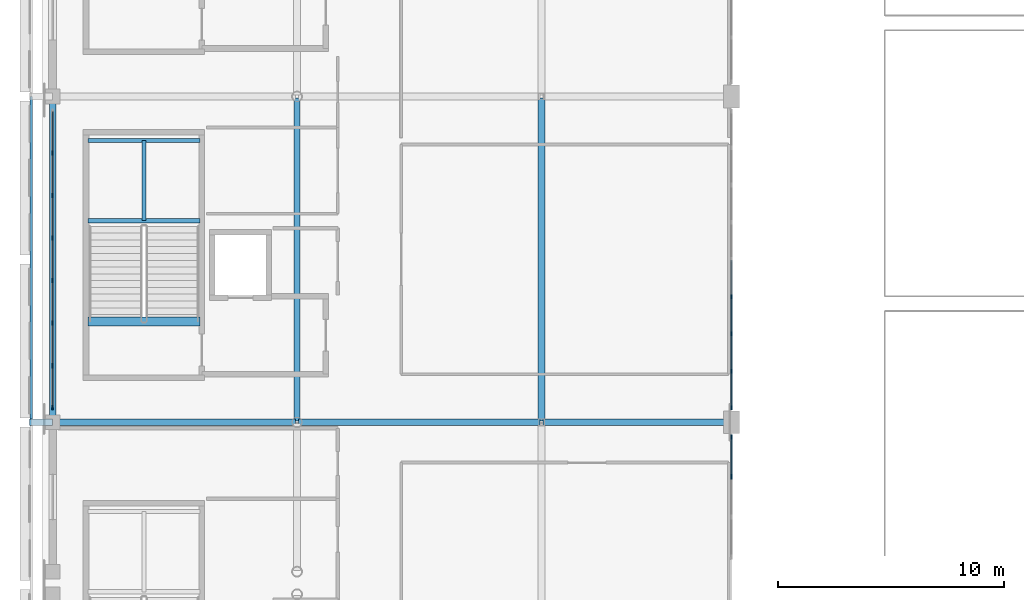
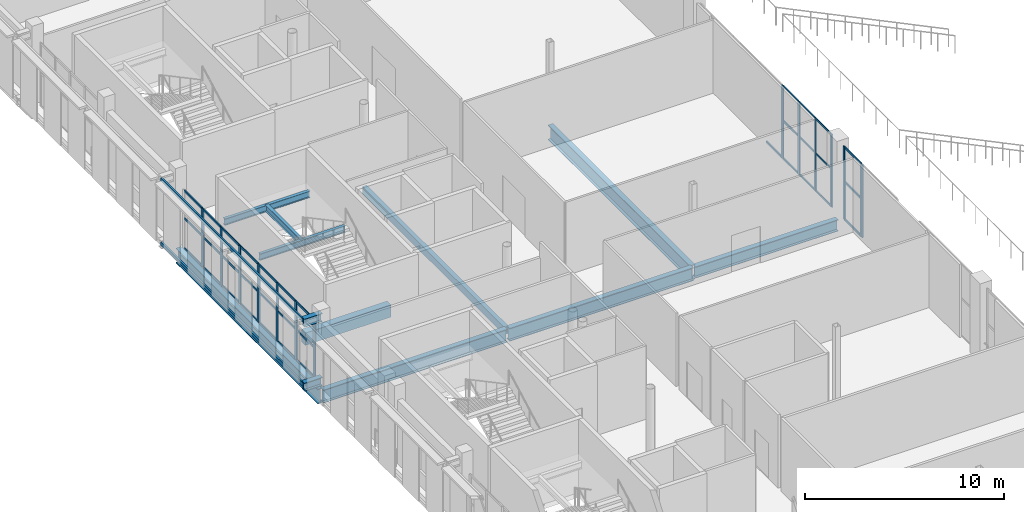
# One storey, part 25 of 104: 49 members, 12 beams, 3 elements without a shape of their own.
"""IFC4 building model written with IfcOpenShell, lengths in metres."""

from ifc_helpers import new_model, si_unit, direction, frame, origin, origin_2d, place, context, subcontext, project, spatial, rectangle, hollow_rectangle, i_section, extrude, material, material_profile, profile_set, type_object, element, aggregate, save


model = new_model("IFC4")

# Units and contexts
model_context = context("Model", 3, precision=1e-05, world=origin(), true_north=direction((0.0, 1.0)))
body_context = subcontext(model_context, "Body", "Model", "MODEL_VIEW")
ifc_project = project(units=[si_unit("LENGTHUNIT", "METRE"), si_unit("AREAUNIT", "SQUARE_METRE"), si_unit("VOLUMEUNIT", "CUBIC_METRE"), si_unit("PLANEANGLEUNIT", "RADIAN"), si_unit("MASSUNIT", "GRAM", prefix="KILO")], contexts=[model_context])

# Site, building, storey
site_placement = place(None, origin())
site = spatial("IfcSite", under=ifc_project, at=site_placement, CompositionType="ELEMENT")
building_placement = place(site_placement, origin())
building = spatial("IfcBuilding", under=site, at=building_placement, Name="Koshinbarg Plaza Stadium", CompositionType="ELEMENT")
storey_placement = place(building_placement, frame((0.0, 0.0, 19.800048828125)))
storey = spatial("IfcBuildingStorey", under=building, at=storey_placement, Name="L04", CompositionType="ELEMENT", Elevation=19.800048828125)

# Beams
ifc_material_1 = material(Name="Steel S355", Category="steel")
ifc_material_profile_1 = material_profile(ifc_material_1, i_section(OverallWidth=0.300048828125, OverallDepth=0.5, WebThickness=0.014404296875, FlangeThickness=0.028076171875, at=origin_2d()), Name="HEB 500")
ifc_profile_set_1 = profile_set([ifc_material_profile_1], Name="Steel S355")
beam_type_1 = type_object("IfcBeamType", Name="BM-CANOPY-CANT", PredefinedType="BEAM", material=ifc_profile_set_1)
for number, where, z_axis, x_axis, name in (
    (1, (24.60009765625, 83.10009765625, 0.25), (-1.0, 0.0, 0.0), (0.0, -1.0, 0.0), "Outer screen cantilever outrigger W-L04-Y05"),
    (2, (24.60009765625, 83.10009765625, 4.179931640625), (-1.0, 0.0, 0.0), (0.0, -1.0, 0.0), "Outer screen cantilever outrigger W-L04-Y05"),
):
    element("IfcBeam", number, at=place(storey_placement, frame(where, z_axis=z_axis, x_axis=x_axis)), inside=storey, type_object=beam_type_1, Name=name, PredefinedType="BEAM", context=body_context, shape_type="SweptSolid", body=[
        extrude(i_section(OverallWidth=0.300048828125, OverallDepth=0.5, WebThickness=0.014404296875, FlangeThickness=0.028076171875, at=origin_2d()), origin(), (0.0, 0.0, 1.0), 1.030029296875),
    ])
ifc_material_2 = material(Name="Concrete C40/50", Category="concrete")
ifc_material_profile_2 = material_profile(ifc_material_2, rectangle(XDim=0.39990234375, YDim=0.75, at=origin_2d()), Name="RC 400x750")
ifc_profile_set_2 = profile_set([ifc_material_profile_2], Name="Concrete C40/50")
beam_type_2 = type_object("IfcBeamType", Name="BM-RCG-03", PredefinedType="USERDEFINED", material=ifc_profile_set_2)
beam_1_placement = place(storey_placement, frame((26.14990234375, 87.56005859375, -0.375), z_axis=(1.0, 0.0, 0.0), x_axis=(0.0, 1.0, 0.0)))
element("IfcBeam", 3, at=beam_1_placement, inside=storey, type_object=beam_type_2, Name="L04 stair landing header beam C05", ObjectType="GIRDER", PredefinedType="USERDEFINED", context=body_context, shape_type="SweptSolid", body=[
    extrude(rectangle(XDim=0.39990234375, YDim=0.75, at=origin_2d()), origin(), (0.0, 0.0, 1.0), 4.97021484375),
])
ifc_material_profile_3 = material_profile(ifc_material_1, i_section(OverallWidth=0.179931640625, OverallDepth=0.39990234375, WebThickness=0.008544921875, FlangeThickness=0.013427734375, at=origin_2d()), Name="IPE 400")
ifc_profile_set_3 = profile_set([ifc_material_profile_3], Name="Steel S355")
beam_type_3 = type_object("IfcBeamType", Name="BM-SBM-01", PredefinedType="BEAM", material=ifc_profile_set_3)
for number, where, z_axis, x_axis, name in (
    (4, (26.14990234375, 92.010009765625, 1.8798828125), (1.0, 0.0, 0.0), (0.0, 1.0, 0.0), "L04 Protected Exit Stair C05 landing trimmer beam 1"),
    (5, (26.14990234375, 95.550048828125, 1.8798828125), (1.0, 0.0, 0.0), (0.0, 1.0, 0.0), "L04 Protected Exit Stair C05 landing trimmer beam 2"),
):
    element("IfcBeam", number, at=place(storey_placement, frame(where, z_axis=z_axis, x_axis=x_axis)), inside=storey, type_object=beam_type_3, Name=name, PredefinedType="BEAM", context=body_context, shape_type="SweptSolid", body=[
        extrude(i_section(OverallWidth=0.179931640625, OverallDepth=0.39990234375, WebThickness=0.008544921875, FlangeThickness=0.013427734375, at=origin_2d()), origin(), (0.0, 0.0, 1.0), 4.97021484375),
    ])
beam_2_placement = place(storey_placement, frame((28.635009765625, 92.010009765625, 1.8798828125), z_axis=(0.0, 1.0, 0.0), x_axis=(-1.0, 0.0, 0.0)))
element("IfcBeam", 6, at=beam_2_placement, inside=storey, type_object=beam_type_3, Name="L04 Protected Exit Stair C05 landing trimmer beam 3", PredefinedType="BEAM", context=body_context, shape_type="SweptSolid", body=[
    extrude(i_section(OverallWidth=0.179931640625, OverallDepth=0.39990234375, WebThickness=0.008544921875, FlangeThickness=0.013427734375, at=origin_2d()), origin(), (0.0, 0.0, 1.0), 3.5400390625),
])
ifc_material_profile_4 = material_profile(ifc_material_1, i_section(OverallWidth=0.300048828125, OverallDepth=0.699951171875, WebThickness=0.01708984375, FlangeThickness=0.031982421875, at=origin_2d()), Name="HEB 700")
ifc_profile_set_4 = profile_set([ifc_material_profile_4], Name="Steel S355")
beam_type_4 = type_object("IfcBeamType", Name="BM-SGIR-03", PredefinedType="USERDEFINED", material=ifc_profile_set_4)
beam_3_placement = place(storey_placement, frame((46.260009765625, 83.10009765625, -0.650146484375), z_axis=(1.0, 0.0, 0.0), x_axis=(0.0, 1.0, 0.0)))
element("IfcBeam", 7, at=beam_3_placement, inside=storey, type_object=beam_type_4, Name="L04 X girder M/7-8", ObjectType="GIRDER", PredefinedType="USERDEFINED", context=body_context, shape_type="SweptSolid", body=[
    extrude(i_section(OverallWidth=0.300048828125, OverallDepth=0.699951171875, WebThickness=0.01708984375, FlangeThickness=0.031982421875, at=origin_2d()), origin(), (0.0, 0.0, 1.0), 8.280029296875),
])
ifc_material_profile_5 = material_profile(ifc_material_1, i_section(OverallWidth=0.300048828125, OverallDepth=0.800048828125, WebThickness=0.017578125, FlangeThickness=0.032958984375, at=origin_2d()), Name="HEB 800")
ifc_profile_set_5 = profile_set([ifc_material_profile_5], Name="Steel S355")
beam_type_5 = type_object("IfcBeamType", Name="BM-SGIR-04", PredefinedType="USERDEFINED", material=ifc_profile_set_5)
beam_4_placement = place(storey_placement, frame((24.659912109375, 83.10009765625, -0.699951171875), z_axis=(1.0, 0.0, 0.0), x_axis=(0.0, 1.0, 0.0)))
element("IfcBeam", 8, at=beam_4_placement, inside=storey, type_object=beam_type_5, Name="L04 X girder M/5-6", ObjectType="GIRDER", PredefinedType="USERDEFINED", context=body_context, shape_type="SweptSolid", body=[
    extrude(i_section(OverallWidth=0.300048828125, OverallDepth=0.800048828125, WebThickness=0.017578125, FlangeThickness=0.032958984375, at=origin_2d()), origin(), (0.0, 0.0, 1.0), 10.68017578125),
])
beam_5_placement = place(storey_placement, frame((35.4599609375, 83.10009765625, -0.699951171875), z_axis=(1.0, 0.0, 0.0), x_axis=(0.0, 1.0, 0.0)))
element("IfcBeam", 9, at=beam_5_placement, inside=storey, type_object=beam_type_5, Name="L04 X girder M/6-7", ObjectType="GIRDER", PredefinedType="USERDEFINED", context=body_context, shape_type="SweptSolid", body=[
    extrude(i_section(OverallWidth=0.300048828125, OverallDepth=0.800048828125, WebThickness=0.017578125, FlangeThickness=0.032958984375, at=origin_2d()), origin(), (0.0, 0.0, 1.0), 10.679931640625),
])
ifc_material_profile_6 = material_profile(ifc_material_1, i_section(OverallWidth=0.300048828125, OverallDepth=0.89990234375, WebThickness=0.0185546875, FlangeThickness=0.034912109375, at=origin_2d()), Name="HEB 900")
ifc_profile_set_6 = profile_set([ifc_material_profile_6], Name="Steel S355")
beam_type_6 = type_object("IfcBeamType", Name="BM-SGIR-05", PredefinedType="USERDEFINED", material=ifc_profile_set_6)
for number, where, z_axis, x_axis, name in (
    (10, (24.60009765625, 83.159912109375, -0.75), (0.0, 1.0, 0.0), (-1.0, 0.0, 0.0), "L04 Y girder 5/M-N"),
    (11, (46.199951171875, 83.159912109375, -0.75), (0.0, 1.0, 0.0), (-1.0, 0.0, 0.0), "L04 Y girder 7/M-N"),
):
    element("IfcBeam", number, at=place(storey_placement, frame(where, z_axis=z_axis, x_axis=x_axis)), inside=storey, type_object=beam_type_6, Name=name, ObjectType="GIRDER", PredefinedType="USERDEFINED", context=body_context, shape_type="SweptSolid", body=[
        extrude(i_section(OverallWidth=0.300048828125, OverallDepth=0.89990234375, WebThickness=0.0185546875, FlangeThickness=0.034912109375, at=origin_2d()), origin(), (0.0, 0.0, 1.0), 14.280029296875),
    ])
ifc_material_profile_7 = material_profile(ifc_material_1, hollow_rectangle(XDim=0.25, YDim=0.449951171875, WallThickness=0.01611328125, at=origin_2d()), Name="RHS 450x250x16")
ifc_profile_set_7 = profile_set([ifc_material_profile_7], Name="Steel S355")
beam_type_7 = type_object("IfcBeamType", Name="BM-SGIR-06", PredefinedType="USERDEFINED", material=ifc_profile_set_7)
beam_6_placement = place(storey_placement, frame((35.39990234375, 83.159912109375, -0.525146484375), z_axis=(0.0, 1.0, 0.0), x_axis=(-1.0, 0.0, 0.0)))
element("IfcBeam", 12, at=beam_6_placement, inside=storey, type_object=beam_type_7, Name="L04 Y girder 6/M-N", ObjectType="GIRDER", PredefinedType="USERDEFINED", context=body_context, shape_type="SweptSolid", body=[
    extrude(hollow_rectangle(XDim=0.25, YDim=0.449951171875, WallThickness=0.01611328125, at=origin_2d()), origin(), (0.0, 0.0, 1.0), 14.280029296875),
])

# Curtain wall, members
ifc_material_3 = material(Name="Thermally broken anodised aluminium and low-E double glazing", Category="aluminium")
curtain_wall_type_1 = type_object("IfcCurtainWallType", Name="CW-SYS-03", PredefinedType="NOTDEFINED", material=ifc_material_3)
curtain_wall_1_placement = place(storey_placement, origin())
curtain_wall_1 = element("IfcCurtainWall", 13, at=curtain_wall_1_placement, inside=storey, type_object=curtain_wall_type_1, Name="L04 unitised curtain wall CW-L04-114", PredefinedType="NOTDEFINED")
ifc_material_4 = material(Name="Anodised aluminium mullion", Category="aluminium")
ifc_material_profile_8 = material_profile(ifc_material_4, rectangle(XDim=0.070068359375, YDim=0.179931640625, at=origin_2d()), Name="ALU 70x180")
ifc_profile_set_8 = profile_set([ifc_material_profile_8], Name="Anodised aluminium mullion")
member_type_1 = type_object("IfcMemberType", Name="CW-MUL-03", PredefinedType="MULLION", material=ifc_profile_set_8)
member_1_placement = place(storey_placement, frame((54.60009765625, 88.655029296875, 0.0), z_axis=(0.0, 0.0, 1.0), x_axis=(1.0, 0.0, 0.0)))
member_1 = element("IfcMember", 14, at=member_1_placement, type_object=member_type_1, Name="CW03 mullion 6", PredefinedType="MULLION", context=body_context, shape_type="SweptSolid", body=[
    extrude(rectangle(XDim=0.070068359375, YDim=0.179931640625, at=origin_2d()), origin(), (0.0, 0.0, 1.0), 4.47998046875),
])
member_2_placement = place(storey_placement, frame((54.60009765625, 87.010009765625, 0.0), z_axis=(0.0, 0.0, 1.0), x_axis=(1.0, 0.0, 0.0)))
member_2 = element("IfcMember", 15, at=member_2_placement, type_object=member_type_1, Name="CW03 mullion 7", PredefinedType="MULLION", context=body_context, shape_type="SweptSolid", body=[
    extrude(rectangle(XDim=0.070068359375, YDim=0.179931640625, at=origin_2d()), origin(), (0.0, 0.0, 1.0), 4.47998046875),
])
member_3_placement = place(storey_placement, frame((54.60009765625, 85.364990234375, 0.0), z_axis=(0.0, 0.0, 1.0), x_axis=(1.0, 0.0, 0.0)))
member_3 = element("IfcMember", 16, at=member_3_placement, type_object=member_type_1, Name="CW03 mullion 8", PredefinedType="MULLION", context=body_context, shape_type="SweptSolid", body=[
    extrude(rectangle(XDim=0.070068359375, YDim=0.179931640625, at=origin_2d()), origin(), (0.0, 0.0, 1.0), 4.47998046875),
])
member_4_placement = place(storey_placement, frame((54.60009765625, 83.75, 0.0), z_axis=(0.0, 0.0, 1.0), x_axis=(1.0, 0.0, 0.0)))
member_4 = element("IfcMember", 17, at=member_4_placement, type_object=member_type_1, Name="CW03 mullion 9", PredefinedType="MULLION", context=body_context, shape_type="SweptSolid", body=[
    extrude(rectangle(XDim=0.070068359375, YDim=0.179931640625, at=origin_2d()), origin(), (0.0, 0.0, 1.0), 4.47998046875),
])

curtain_wall_type_2 = type_object("IfcCurtainWallType", Name="CW-SYS-16", PredefinedType="NOTDEFINED", material=ifc_material_3)
curtain_wall_2_placement = place(storey_placement, origin())
curtain_wall_2 = element("IfcCurtainWall", 18, at=curtain_wall_2_placement, inside=storey, type_object=curtain_wall_type_2, Name="L04 unitised curtain wall CW-L04-095", PredefinedType="NOTDEFINED")
ifc_material_profile_9 = material_profile(ifc_material_4, rectangle(XDim=0.070068359375, YDim=0.199951171875, at=origin_2d()), Name="ALU 70x200")
ifc_profile_set_9 = profile_set([ifc_material_profile_9], Name="Anodised aluminium mullion")
member_type_2 = type_object("IfcMemberType", Name="CW-MUL-04", PredefinedType="MULLION", material=ifc_profile_set_9)
member_5_placement = place(storey_placement, frame((24.60009765625, 83.75, 0.0), z_axis=(0.0, 0.0, 1.0), x_axis=(-1.0, 0.0, 0.0)))
member_5 = element("IfcMember", 19, at=member_5_placement, type_object=member_type_2, Name="CW16 mullion 1", PredefinedType="MULLION", context=body_context, shape_type="SweptSolid", body=[
    extrude(rectangle(XDim=0.070068359375, YDim=0.199951171875, at=origin_2d()), origin(), (0.0, 0.0, 1.0), 3.579833984375),
])
member_6_placement = place(storey_placement, frame((24.60009765625, 85.60009765625, 0.0), z_axis=(0.0, 0.0, 1.0), x_axis=(-1.0, 0.0, 0.0)))
member_6 = element("IfcMember", 20, at=member_6_placement, type_object=member_type_2, Name="CW16 mullion 2", PredefinedType="MULLION", context=body_context, shape_type="SweptSolid", body=[
    extrude(rectangle(XDim=0.070068359375, YDim=0.199951171875, at=origin_2d()), origin(), (0.0, 0.0, 1.0), 3.579833984375),
])
member_7_placement = place(storey_placement, frame((24.60009765625, 87.47998046875, 0.0), z_axis=(0.0, 0.0, 1.0), x_axis=(-1.0, 0.0, 0.0)))
member_7 = element("IfcMember", 21, at=member_7_placement, type_object=member_type_2, Name="CW16 mullion 3", PredefinedType="MULLION", context=body_context, shape_type="SweptSolid", body=[
    extrude(rectangle(XDim=0.070068359375, YDim=0.199951171875, at=origin_2d()), origin(), (0.0, 0.0, 1.0), 3.579833984375),
])
member_8_placement = place(storey_placement, frame((24.60009765625, 89.360107421875, 0.0), z_axis=(0.0, 0.0, 1.0), x_axis=(-1.0, 0.0, 0.0)))
member_8 = element("IfcMember", 22, at=member_8_placement, type_object=member_type_2, Name="CW16 mullion 4", PredefinedType="MULLION", context=body_context, shape_type="SweptSolid", body=[
    extrude(rectangle(XDim=0.070068359375, YDim=0.199951171875, at=origin_2d()), origin(), (0.0, 0.0, 1.0), 3.579833984375),
])
member_9_placement = place(storey_placement, frame((24.60009765625, 91.239990234375, 0.0), z_axis=(0.0, 0.0, 1.0), x_axis=(-1.0, 0.0, 0.0)))
member_9 = element("IfcMember", 23, at=member_9_placement, type_object=member_type_2, Name="CW16 mullion 5", PredefinedType="MULLION", context=body_context, shape_type="SweptSolid", body=[
    extrude(rectangle(XDim=0.070068359375, YDim=0.199951171875, at=origin_2d()), origin(), (0.0, 0.0, 1.0), 3.579833984375),
])
member_10_placement = place(storey_placement, frame((24.60009765625, 93.1201171875, 0.0), z_axis=(0.0, 0.0, 1.0), x_axis=(-1.0, 0.0, 0.0)))
member_10 = element("IfcMember", 24, at=member_10_placement, type_object=member_type_2, Name="CW16 mullion 6", PredefinedType="MULLION", context=body_context, shape_type="SweptSolid", body=[
    extrude(rectangle(XDim=0.070068359375, YDim=0.199951171875, at=origin_2d()), origin(), (0.0, 0.0, 1.0), 3.579833984375),
])
member_11_placement = place(storey_placement, frame((24.60009765625, 95.0, 0.0), z_axis=(0.0, 0.0, 1.0), x_axis=(-1.0, 0.0, 0.0)))
member_11 = element("IfcMember", 25, at=member_11_placement, type_object=member_type_2, Name="CW16 mullion 7", PredefinedType="MULLION", context=body_context, shape_type="SweptSolid", body=[
    extrude(rectangle(XDim=0.070068359375, YDim=0.199951171875, at=origin_2d()), origin(), (0.0, 0.0, 1.0), 3.579833984375),
])

curtain_wall_type_3 = type_object("IfcCurtainWallType", Name="CW-SYS-04", PredefinedType="NOTDEFINED", material=ifc_material_3)
curtain_wall_3_placement = place(storey_placement, origin())
curtain_wall_3 = element("IfcCurtainWall", 26, at=curtain_wall_3_placement, inside=storey, type_object=curtain_wall_type_3, Name="L04 unitised curtain wall CW-L04-115", PredefinedType="NOTDEFINED")
member_12_placement = place(storey_placement, frame((54.60009765625, 82.449951171875, 0.0), z_axis=(0.0, 0.0, 1.0), x_axis=(1.0, 0.0, 0.0)))
member_12 = element("IfcMember", 27, at=member_12_placement, type_object=member_type_2, Name="CW04 mullion 1", PredefinedType="MULLION", context=body_context, shape_type="SweptSolid", body=[
    extrude(rectangle(XDim=0.070068359375, YDim=0.199951171875, at=origin_2d()), origin(), (0.0, 0.0, 1.0), 4.47998046875),
])
member_13_placement = place(storey_placement, frame((54.60009765625, 80.693359375, 0.0), z_axis=(0.0, 0.0, 1.0), x_axis=(1.0, 0.0, 0.0)))
member_13 = element("IfcMember", 28, at=member_13_placement, type_object=member_type_2, Name="CW04 mullion 2", PredefinedType="MULLION", context=body_context, shape_type="SweptSolid", body=[
    extrude(rectangle(XDim=0.070068359375, YDim=0.199951171875, at=origin_2d()), origin(), (0.0, 0.0, 1.0), 4.47998046875),
])

# Member
ifc_material_5 = material(Name="Anodised aluminium transom", Category="aluminium")
ifc_material_profile_10 = material_profile(ifc_material_5, rectangle(XDim=0.06005859375, YDim=0.110107421875, at=origin_2d()), Name="ALU 60x110")
ifc_profile_set_10 = profile_set([ifc_material_profile_10], Name="Anodised aluminium transom")
member_type_3 = type_object("IfcMemberType", Name="CW-TRN-01", PredefinedType="USERDEFINED", material=ifc_profile_set_10)
member_14_placement = place(storey_placement, frame((54.60009765625, 90.27001953125, 0.030029296875), z_axis=(0.0, -1.0, 0.0), x_axis=(1.0, 0.0, 0.0)))
member_14 = element("IfcMember", 29, at=member_14_placement, type_object=member_type_3, Name="CW03 transom 5.1", ObjectType="TRANSOM", PredefinedType="USERDEFINED", context=body_context, shape_type="SweptSolid", body=[
    extrude(rectangle(XDim=0.06005859375, YDim=0.110107421875, at=origin_2d()), origin(), (0.0, 0.0, 1.0), 1.5849609375),
])

member_15_placement = place(storey_placement, frame((54.60009765625, 88.625, 0.030029296875), z_axis=(0.0, -1.0, 0.0), x_axis=(1.0, 0.0, 0.0)))
member_15 = element("IfcMember", 30, at=member_15_placement, type_object=member_type_3, Name="CW03 transom 6.1", ObjectType="TRANSOM", PredefinedType="USERDEFINED", context=body_context, shape_type="SweptSolid", body=[
    extrude(rectangle(XDim=0.06005859375, YDim=0.110107421875, at=origin_2d()), origin(), (0.0, 0.0, 1.0), 1.5849609375),
])

member_16_placement = place(storey_placement, frame((54.60009765625, 88.625, 2.32958984375), z_axis=(0.0, -1.0, 0.0), x_axis=(1.0, 0.0, 0.0)))
member_16 = element("IfcMember", 31, at=member_16_placement, type_object=member_type_3, Name="CW03 transom 6.2", ObjectType="TRANSOM", PredefinedType="USERDEFINED", context=body_context, shape_type="SweptSolid", body=[
    extrude(rectangle(XDim=0.06005859375, YDim=0.110107421875, at=origin_2d()), origin(), (0.0, 0.0, 1.0), 1.5849609375),
])

member_17_placement = place(storey_placement, frame((54.60009765625, 88.625, 4.449951171875), z_axis=(0.0, -1.0, 0.0), x_axis=(1.0, 0.0, 0.0)))
member_17 = element("IfcMember", 32, at=member_17_placement, type_object=member_type_3, Name="CW03 transom 6.3", ObjectType="TRANSOM", PredefinedType="USERDEFINED", context=body_context, shape_type="SweptSolid", body=[
    extrude(rectangle(XDim=0.06005859375, YDim=0.110107421875, at=origin_2d()), origin(), (0.0, 0.0, 1.0), 1.5849609375),
])

member_18_placement = place(storey_placement, frame((54.60009765625, 86.97998046875, 0.030029296875), z_axis=(0.0, -1.0, 0.0), x_axis=(1.0, 0.0, 0.0)))
member_18 = element("IfcMember", 33, at=member_18_placement, type_object=member_type_3, Name="CW03 transom 7.1", ObjectType="TRANSOM", PredefinedType="USERDEFINED", context=body_context, shape_type="SweptSolid", body=[
    extrude(rectangle(XDim=0.06005859375, YDim=0.110107421875, at=origin_2d()), origin(), (0.0, 0.0, 1.0), 1.5849609375),
])

member_19_placement = place(storey_placement, frame((54.60009765625, 86.97998046875, 2.32958984375), z_axis=(0.0, -1.0, 0.0), x_axis=(1.0, 0.0, 0.0)))
member_19 = element("IfcMember", 34, at=member_19_placement, type_object=member_type_3, Name="CW03 transom 7.2", ObjectType="TRANSOM", PredefinedType="USERDEFINED", context=body_context, shape_type="SweptSolid", body=[
    extrude(rectangle(XDim=0.06005859375, YDim=0.110107421875, at=origin_2d()), origin(), (0.0, 0.0, 1.0), 1.5849609375),
])

member_20_placement = place(storey_placement, frame((54.60009765625, 86.97998046875, 4.449951171875), z_axis=(0.0, -1.0, 0.0), x_axis=(1.0, 0.0, 0.0)))
member_20 = element("IfcMember", 35, at=member_20_placement, type_object=member_type_3, Name="CW03 transom 7.3", ObjectType="TRANSOM", PredefinedType="USERDEFINED", context=body_context, shape_type="SweptSolid", body=[
    extrude(rectangle(XDim=0.06005859375, YDim=0.110107421875, at=origin_2d()), origin(), (0.0, 0.0, 1.0), 1.5849609375),
])

member_21_placement = place(storey_placement, frame((54.60009765625, 85.3349609375, 0.030029296875), z_axis=(0.0, -1.0, 0.0), x_axis=(1.0, 0.0, 0.0)))
member_21 = element("IfcMember", 36, at=member_21_placement, type_object=member_type_3, Name="CW03 transom 8.1", ObjectType="TRANSOM", PredefinedType="USERDEFINED", context=body_context, shape_type="SweptSolid", body=[
    extrude(rectangle(XDim=0.06005859375, YDim=0.110107421875, at=origin_2d()), origin(), (0.0, 0.0, 1.0), 1.554931640625),
])

member_22_placement = place(storey_placement, frame((54.60009765625, 85.3349609375, 2.32958984375), z_axis=(0.0, -1.0, 0.0), x_axis=(1.0, 0.0, 0.0)))
member_22 = element("IfcMember", 37, at=member_22_placement, type_object=member_type_3, Name="CW03 transom 8.2", ObjectType="TRANSOM", PredefinedType="USERDEFINED", context=body_context, shape_type="SweptSolid", body=[
    extrude(rectangle(XDim=0.06005859375, YDim=0.110107421875, at=origin_2d()), origin(), (0.0, 0.0, 1.0), 1.554931640625),
])

member_23_placement = place(storey_placement, frame((54.60009765625, 85.3349609375, 4.449951171875), z_axis=(0.0, -1.0, 0.0), x_axis=(1.0, 0.0, 0.0)))
member_23 = element("IfcMember", 38, at=member_23_placement, type_object=member_type_3, Name="CW03 transom 8.3", ObjectType="TRANSOM", PredefinedType="USERDEFINED", context=body_context, shape_type="SweptSolid", body=[
    extrude(rectangle(XDim=0.06005859375, YDim=0.110107421875, at=origin_2d()), origin(), (0.0, 0.0, 1.0), 1.554931640625),
])

aggregate(curtain_wall_1, [member_1, member_2, member_3, member_4, member_14, member_15, member_16, member_17, member_18, member_19, member_20, member_21, member_22, member_23])

ifc_material_profile_11 = material_profile(ifc_material_5, rectangle(XDim=0.06005859375, YDim=0.1298828125, at=origin_2d()), Name="ALU 60x130")
ifc_profile_set_11 = profile_set([ifc_material_profile_11], Name="Anodised aluminium transom")
member_type_4 = type_object("IfcMemberType", Name="CW-TRN-02", PredefinedType="USERDEFINED", material=ifc_profile_set_11)
member_24_placement = place(storey_placement, frame((24.60009765625, 83.780029296875, 0.030029296875), z_axis=(0.0, 1.0, 0.0), x_axis=(-1.0, 0.0, 0.0)))
member_24 = element("IfcMember", 39, at=member_24_placement, type_object=member_type_4, Name="CW16 transom 1.1", ObjectType="TRANSOM", PredefinedType="USERDEFINED", context=body_context, shape_type="SweptSolid", body=[
    extrude(rectangle(XDim=0.06005859375, YDim=0.1298828125, at=origin_2d()), origin(), (0.0, 0.0, 1.0), 1.7900390625),
])

member_25_placement = place(storey_placement, frame((24.60009765625, 83.780029296875, 1.861572265625), z_axis=(0.0, 1.0, 0.0), x_axis=(-1.0, 0.0, 0.0)))
member_25 = element("IfcMember", 40, at=member_25_placement, type_object=member_type_4, Name="CW16 transom 1.2", ObjectType="TRANSOM", PredefinedType="USERDEFINED", context=body_context, shape_type="SweptSolid", body=[
    extrude(rectangle(XDim=0.06005859375, YDim=0.1298828125, at=origin_2d()), origin(), (0.0, 0.0, 1.0), 1.7900390625),
])

member_26_placement = place(storey_placement, frame((24.60009765625, 83.780029296875, 3.550048828125), z_axis=(0.0, 1.0, 0.0), x_axis=(-1.0, 0.0, 0.0)))
member_26 = element("IfcMember", 41, at=member_26_placement, type_object=member_type_4, Name="CW16 transom 1.3", ObjectType="TRANSOM", PredefinedType="USERDEFINED", context=body_context, shape_type="SweptSolid", body=[
    extrude(rectangle(XDim=0.06005859375, YDim=0.1298828125, at=origin_2d()), origin(), (0.0, 0.0, 1.0), 1.7900390625),
])

member_27_placement = place(storey_placement, frame((24.60009765625, 85.6298828125, 0.030029296875), z_axis=(0.0, 1.0, 0.0), x_axis=(-1.0, 0.0, 0.0)))
member_27 = element("IfcMember", 42, at=member_27_placement, type_object=member_type_4, Name="CW16 transom 2.1", ObjectType="TRANSOM", PredefinedType="USERDEFINED", context=body_context, shape_type="SweptSolid", body=[
    extrude(rectangle(XDim=0.06005859375, YDim=0.1298828125, at=origin_2d()), origin(), (0.0, 0.0, 1.0), 1.820068359375),
])

member_28_placement = place(storey_placement, frame((24.60009765625, 85.6298828125, 1.861572265625), z_axis=(0.0, 1.0, 0.0), x_axis=(-1.0, 0.0, 0.0)))
member_28 = element("IfcMember", 43, at=member_28_placement, type_object=member_type_4, Name="CW16 transom 2.2", ObjectType="TRANSOM", PredefinedType="USERDEFINED", context=body_context, shape_type="SweptSolid", body=[
    extrude(rectangle(XDim=0.06005859375, YDim=0.1298828125, at=origin_2d()), origin(), (0.0, 0.0, 1.0), 1.820068359375),
])

member_29_placement = place(storey_placement, frame((24.60009765625, 85.6298828125, 3.550048828125), z_axis=(0.0, 1.0, 0.0), x_axis=(-1.0, 0.0, 0.0)))
member_29 = element("IfcMember", 44, at=member_29_placement, type_object=member_type_4, Name="CW16 transom 2.3", ObjectType="TRANSOM", PredefinedType="USERDEFINED", context=body_context, shape_type="SweptSolid", body=[
    extrude(rectangle(XDim=0.06005859375, YDim=0.1298828125, at=origin_2d()), origin(), (0.0, 0.0, 1.0), 1.820068359375),
])

member_30_placement = place(storey_placement, frame((24.60009765625, 87.510009765625, 0.030029296875), z_axis=(0.0, 1.0, 0.0), x_axis=(-1.0, 0.0, 0.0)))
member_30 = element("IfcMember", 45, at=member_30_placement, type_object=member_type_4, Name="CW16 transom 3.1", ObjectType="TRANSOM", PredefinedType="USERDEFINED", context=body_context, shape_type="SweptSolid", body=[
    extrude(rectangle(XDim=0.06005859375, YDim=0.1298828125, at=origin_2d()), origin(), (0.0, 0.0, 1.0), 1.820068359375),
])

member_31_placement = place(storey_placement, frame((24.60009765625, 87.510009765625, 1.861572265625), z_axis=(0.0, 1.0, 0.0), x_axis=(-1.0, 0.0, 0.0)))
member_31 = element("IfcMember", 46, at=member_31_placement, type_object=member_type_4, Name="CW16 transom 3.2", ObjectType="TRANSOM", PredefinedType="USERDEFINED", context=body_context, shape_type="SweptSolid", body=[
    extrude(rectangle(XDim=0.06005859375, YDim=0.1298828125, at=origin_2d()), origin(), (0.0, 0.0, 1.0), 1.820068359375),
])

member_32_placement = place(storey_placement, frame((24.60009765625, 87.510009765625, 3.550048828125), z_axis=(0.0, 1.0, 0.0), x_axis=(-1.0, 0.0, 0.0)))
member_32 = element("IfcMember", 47, at=member_32_placement, type_object=member_type_4, Name="CW16 transom 3.3", ObjectType="TRANSOM", PredefinedType="USERDEFINED", context=body_context, shape_type="SweptSolid", body=[
    extrude(rectangle(XDim=0.06005859375, YDim=0.1298828125, at=origin_2d()), origin(), (0.0, 0.0, 1.0), 1.820068359375),
])

member_33_placement = place(storey_placement, frame((24.60009765625, 89.389892578125, 0.030029296875), z_axis=(0.0, 1.0, 0.0), x_axis=(-1.0, 0.0, 0.0)))
member_33 = element("IfcMember", 48, at=member_33_placement, type_object=member_type_4, Name="CW16 transom 4.1", ObjectType="TRANSOM", PredefinedType="USERDEFINED", context=body_context, shape_type="SweptSolid", body=[
    extrude(rectangle(XDim=0.06005859375, YDim=0.1298828125, at=origin_2d()), origin(), (0.0, 0.0, 1.0), 1.820068359375),
])

member_34_placement = place(storey_placement, frame((24.60009765625, 89.389892578125, 1.861572265625), z_axis=(0.0, 1.0, 0.0), x_axis=(-1.0, 0.0, 0.0)))
member_34 = element("IfcMember", 49, at=member_34_placement, type_object=member_type_4, Name="CW16 transom 4.2", ObjectType="TRANSOM", PredefinedType="USERDEFINED", context=body_context, shape_type="SweptSolid", body=[
    extrude(rectangle(XDim=0.06005859375, YDim=0.1298828125, at=origin_2d()), origin(), (0.0, 0.0, 1.0), 1.820068359375),
])

member_35_placement = place(storey_placement, frame((24.60009765625, 89.389892578125, 3.550048828125), z_axis=(0.0, 1.0, 0.0), x_axis=(-1.0, 0.0, 0.0)))
member_35 = element("IfcMember", 50, at=member_35_placement, type_object=member_type_4, Name="CW16 transom 4.3", ObjectType="TRANSOM", PredefinedType="USERDEFINED", context=body_context, shape_type="SweptSolid", body=[
    extrude(rectangle(XDim=0.06005859375, YDim=0.1298828125, at=origin_2d()), origin(), (0.0, 0.0, 1.0), 1.820068359375),
])

member_36_placement = place(storey_placement, frame((24.60009765625, 91.27001953125, 0.030029296875), z_axis=(0.0, 1.0, 0.0), x_axis=(-1.0, 0.0, 0.0)))
member_36 = element("IfcMember", 51, at=member_36_placement, type_object=member_type_4, Name="CW16 transom 5.1", ObjectType="TRANSOM", PredefinedType="USERDEFINED", context=body_context, shape_type="SweptSolid", body=[
    extrude(rectangle(XDim=0.06005859375, YDim=0.1298828125, at=origin_2d()), origin(), (0.0, 0.0, 1.0), 1.820068359375),
])

member_37_placement = place(storey_placement, frame((24.60009765625, 91.27001953125, 1.861572265625), z_axis=(0.0, 1.0, 0.0), x_axis=(-1.0, 0.0, 0.0)))
member_37 = element("IfcMember", 52, at=member_37_placement, type_object=member_type_4, Name="CW16 transom 5.2", ObjectType="TRANSOM", PredefinedType="USERDEFINED", context=body_context, shape_type="SweptSolid", body=[
    extrude(rectangle(XDim=0.06005859375, YDim=0.1298828125, at=origin_2d()), origin(), (0.0, 0.0, 1.0), 1.820068359375),
])

member_38_placement = place(storey_placement, frame((24.60009765625, 91.27001953125, 3.550048828125), z_axis=(0.0, 1.0, 0.0), x_axis=(-1.0, 0.0, 0.0)))
member_38 = element("IfcMember", 53, at=member_38_placement, type_object=member_type_4, Name="CW16 transom 5.3", ObjectType="TRANSOM", PredefinedType="USERDEFINED", context=body_context, shape_type="SweptSolid", body=[
    extrude(rectangle(XDim=0.06005859375, YDim=0.1298828125, at=origin_2d()), origin(), (0.0, 0.0, 1.0), 1.820068359375),
])

member_39_placement = place(storey_placement, frame((24.60009765625, 93.14990234375, 0.030029296875), z_axis=(0.0, 1.0, 0.0), x_axis=(-1.0, 0.0, 0.0)))
member_39 = element("IfcMember", 54, at=member_39_placement, type_object=member_type_4, Name="CW16 transom 6.1", ObjectType="TRANSOM", PredefinedType="USERDEFINED", context=body_context, shape_type="SweptSolid", body=[
    extrude(rectangle(XDim=0.06005859375, YDim=0.1298828125, at=origin_2d()), origin(), (0.0, 0.0, 1.0), 1.820068359375),
])

member_40_placement = place(storey_placement, frame((24.60009765625, 93.14990234375, 1.861572265625), z_axis=(0.0, 1.0, 0.0), x_axis=(-1.0, 0.0, 0.0)))
member_40 = element("IfcMember", 55, at=member_40_placement, type_object=member_type_4, Name="CW16 transom 6.2", ObjectType="TRANSOM", PredefinedType="USERDEFINED", context=body_context, shape_type="SweptSolid", body=[
    extrude(rectangle(XDim=0.06005859375, YDim=0.1298828125, at=origin_2d()), origin(), (0.0, 0.0, 1.0), 1.820068359375),
])

member_41_placement = place(storey_placement, frame((24.60009765625, 93.14990234375, 3.550048828125), z_axis=(0.0, 1.0, 0.0), x_axis=(-1.0, 0.0, 0.0)))
member_41 = element("IfcMember", 56, at=member_41_placement, type_object=member_type_4, Name="CW16 transom 6.3", ObjectType="TRANSOM", PredefinedType="USERDEFINED", context=body_context, shape_type="SweptSolid", body=[
    extrude(rectangle(XDim=0.06005859375, YDim=0.1298828125, at=origin_2d()), origin(), (0.0, 0.0, 1.0), 1.820068359375),
])

member_42_placement = place(storey_placement, frame((24.60009765625, 95.030029296875, 0.030029296875), z_axis=(0.0, 1.0, 0.0), x_axis=(-1.0, 0.0, 0.0)))
member_42 = element("IfcMember", 57, at=member_42_placement, type_object=member_type_4, Name="CW16 transom 7.1", ObjectType="TRANSOM", PredefinedType="USERDEFINED", context=body_context, shape_type="SweptSolid", body=[
    extrude(rectangle(XDim=0.06005859375, YDim=0.1298828125, at=origin_2d()), origin(), (0.0, 0.0, 1.0), 1.7900390625),
])

member_43_placement = place(storey_placement, frame((24.60009765625, 95.030029296875, 1.861572265625), z_axis=(0.0, 1.0, 0.0), x_axis=(-1.0, 0.0, 0.0)))
member_43 = element("IfcMember", 58, at=member_43_placement, type_object=member_type_4, Name="CW16 transom 7.2", ObjectType="TRANSOM", PredefinedType="USERDEFINED", context=body_context, shape_type="SweptSolid", body=[
    extrude(rectangle(XDim=0.06005859375, YDim=0.1298828125, at=origin_2d()), origin(), (0.0, 0.0, 1.0), 1.7900390625),
])

member_44_placement = place(storey_placement, frame((24.60009765625, 95.030029296875, 3.550048828125), z_axis=(0.0, 1.0, 0.0), x_axis=(-1.0, 0.0, 0.0)))
member_44 = element("IfcMember", 59, at=member_44_placement, type_object=member_type_4, Name="CW16 transom 7.3", ObjectType="TRANSOM", PredefinedType="USERDEFINED", context=body_context, shape_type="SweptSolid", body=[
    extrude(rectangle(XDim=0.06005859375, YDim=0.1298828125, at=origin_2d()), origin(), (0.0, 0.0, 1.0), 1.7900390625),
])

aggregate(curtain_wall_2, [member_5, member_6, member_7, member_8, member_9, member_10, member_11, member_24, member_25, member_26, member_27, member_28, member_29, member_30, member_31, member_32, member_33, member_34, member_35, member_36, member_37, member_38, member_39, member_40, member_41, member_42, member_43, member_44])

member_45_placement = place(storey_placement, frame((54.60009765625, 82.419921875, 0.030029296875), z_axis=(0.0, -1.0, 0.0), x_axis=(1.0, 0.0, 0.0)))
member_45 = element("IfcMember", 60, at=member_45_placement, type_object=member_type_4, Name="CW04 transom 1.1", ObjectType="TRANSOM", PredefinedType="USERDEFINED", context=body_context, shape_type="SweptSolid", body=[
    extrude(rectangle(XDim=0.06005859375, YDim=0.1298828125, at=origin_2d()), origin(), (0.0, 0.0, 1.0), 1.696533203125),
])

member_46_placement = place(storey_placement, frame((54.60009765625, 82.419921875, 2.32958984375), z_axis=(0.0, -1.0, 0.0), x_axis=(1.0, 0.0, 0.0)))
member_46 = element("IfcMember", 61, at=member_46_placement, type_object=member_type_4, Name="CW04 transom 1.2", ObjectType="TRANSOM", PredefinedType="USERDEFINED", context=body_context, shape_type="SweptSolid", body=[
    extrude(rectangle(XDim=0.06005859375, YDim=0.1298828125, at=origin_2d()), origin(), (0.0, 0.0, 1.0), 1.696533203125),
])

member_47_placement = place(storey_placement, frame((54.60009765625, 82.419921875, 4.449951171875), z_axis=(0.0, -1.0, 0.0), x_axis=(1.0, 0.0, 0.0)))
member_47 = element("IfcMember", 62, at=member_47_placement, type_object=member_type_4, Name="CW04 transom 1.3", ObjectType="TRANSOM", PredefinedType="USERDEFINED", context=body_context, shape_type="SweptSolid", body=[
    extrude(rectangle(XDim=0.06005859375, YDim=0.1298828125, at=origin_2d()), origin(), (0.0, 0.0, 1.0), 1.696533203125),
])

aggregate(curtain_wall_3, [member_12, member_13, member_45, member_46, member_47])

# Members
ifc_material_profile_12 = material_profile(ifc_material_1, hollow_rectangle(XDim=0.10009765625, YDim=0.199951171875, WallThickness=0.008056640625, at=origin_2d()), Name="RHS 200x100x8")
ifc_profile_set_12 = profile_set([ifc_material_profile_12], Name="Steel S355")
member_type_5 = type_object("IfcMemberType", Name="MB-PURL-03", PredefinedType="PURLIN", material=ifc_profile_set_12)
for number, where, z_axis, x_axis, name in (
    (63, (23.64990234375, 83.10009765625, 0.25), (0.0, 1.0, 0.0), (-1.0, 0.0, 0.0), "L04 outer screen subframe rail W-5-BOT"),
    (64, (23.64990234375, 83.10009765625, 4.179931640625), (0.0, 1.0, 0.0), (-1.0, 0.0, 0.0), "L04 outer screen subframe rail W-5-TOP"),
):
    element("IfcMember", number, at=place(storey_placement, frame(where, z_axis=z_axis, x_axis=x_axis)), inside=storey, type_object=member_type_5, Name=name, PredefinedType="PURLIN", context=body_context, shape_type="SweptSolid", body=[
        extrude(hollow_rectangle(XDim=0.10009765625, YDim=0.199951171875, WallThickness=0.008056640625, at=origin_2d()), origin(), (0.0, 0.0, 1.0), 14.39990234375),
    ])

save(model, "model.ifc")
